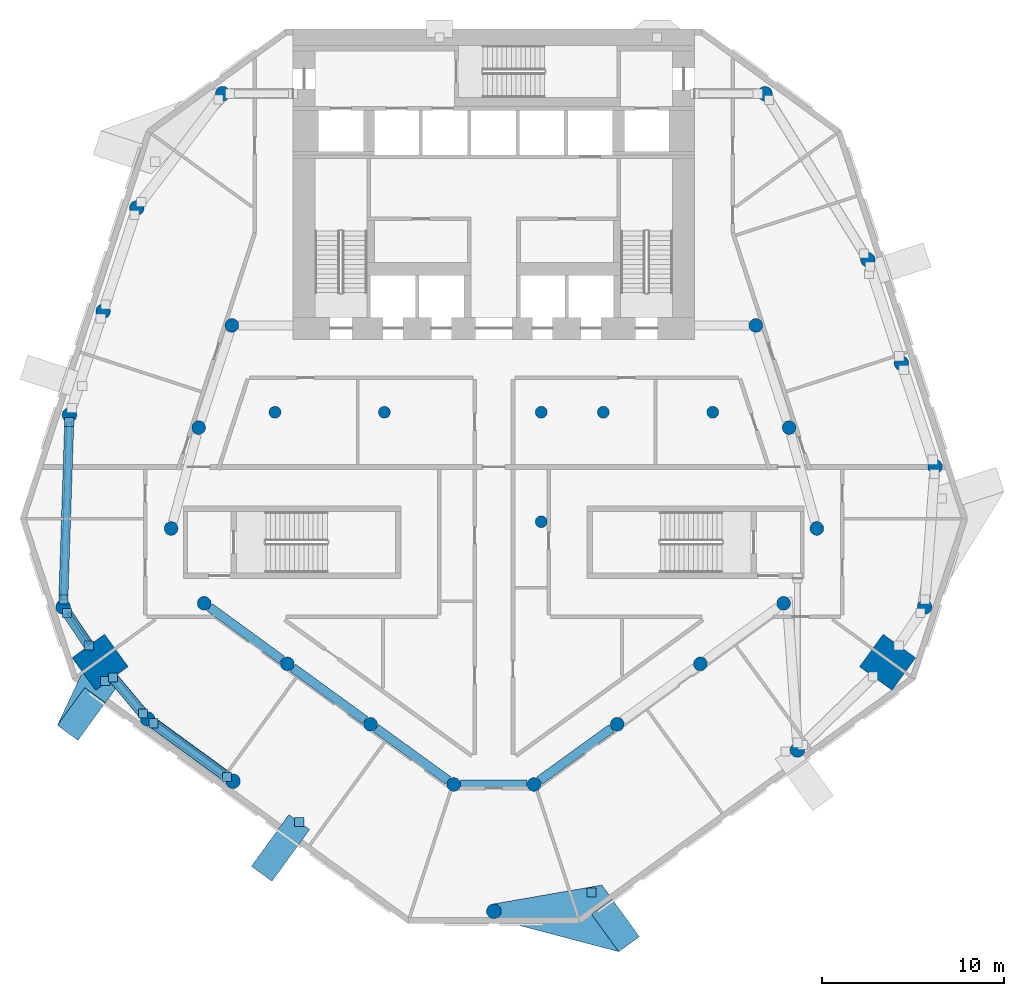
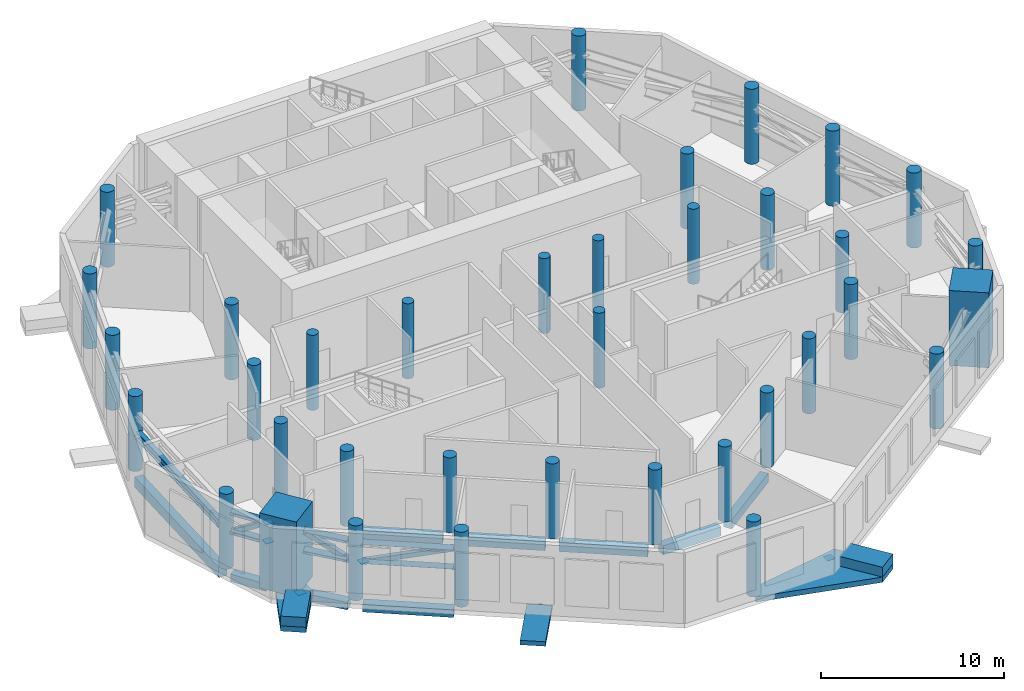
# One storey, part 1 of 15: 36 columns, 17 discrete accessories, 15 members, 9 beams.
"""IFC4 building model written with IfcOpenShell, lengths in metres."""

from ifc_helpers import new_model, si_unit, direction, frame, origin, origin_2d, place, context, subcontext, project, spatial, polyline, rectangle, hollow_rectangle, circle, i_section, outline, extrude, material, layer, layer_set, material_profile, profile_set, type_object, element, aggregate, save


model = new_model("IFC4")

# Units and contexts
model_context = context("Model", 3, precision=1e-05, world=origin(), true_north=direction((0.0, 1.0)))
body_context = subcontext(model_context, "Body", "Model", "MODEL_VIEW")
ifc_project = project(units=[si_unit("LENGTHUNIT", "METRE"), si_unit("AREAUNIT", "SQUARE_METRE"), si_unit("VOLUMEUNIT", "CUBIC_METRE"), si_unit("PLANEANGLEUNIT", "RADIAN"), si_unit("MASSUNIT", "GRAM", prefix="KILO")], contexts=[model_context])

# Site, building, storey
site_placement = place(None, origin())
site = spatial("IfcSite", under=ifc_project, at=site_placement, CompositionType="ELEMENT")
building_placement = place(site_placement, origin())
building = spatial("IfcBuilding", under=site, at=building_placement, Name="White Candle Pilgrim Tower", CompositionType="ELEMENT")
storey_placement = place(building_placement, frame((0.0, 0.0, 85.800048828125)))
storey = spatial("IfcBuildingStorey", under=building, at=storey_placement, Name="L18", CompositionType="ELEMENT", Elevation=85.800048828125)

# Columns
ifc_material_1 = material(Name="Concrete C80/95", Category="concrete")
ifc_material_profile_1 = material_profile(ifc_material_1, circle(Radius=0.324951171875, at=origin_2d()), Name="RC-COL D650")
ifc_profile_set_1 = profile_set([ifc_material_profile_1], Name="Concrete C80/95")
column_type_1 = type_object("IfcColumnType", Name="Interior column RC-COL D650 C80/95", PredefinedType="COLUMN", material=ifc_profile_set_1)
for number, where, z_axis, x_axis, name in (
    (1, (58.0, 67.0, 0.0), (0.0, 0.0, 1.0), (1.0, 0.0, 0.0), "L18 column I01"),
    (2, (64.0, 67.0, 0.0), (0.0, 0.0, 1.0), (1.0, 0.0, 0.0), "L18 column I02"),
    (3, (72.60009765625, 61.0, 0.0), (0.0, 0.0, 1.0), (1.0, 0.0, 0.0), "L18 column I03"),
    (4, (72.60009765625, 67.0, 0.0), (0.0, 0.0, 1.0), (1.0, 0.0, 0.0), "L18 column I04"),
    (5, (76.0, 67.0, 0.0), (0.0, 0.0, 1.0), (1.0, 0.0, 0.0), "L18 column I05"),
    (6, (82.0, 67.0, 0.0), (0.0, 0.0, 1.0), (1.0, 0.0, 0.0), "L18 column I06"),
):
    element("IfcColumn", number, at=place(storey_placement, frame(where, z_axis=z_axis, x_axis=x_axis)), inside=storey, type_object=column_type_1, Name=name, PredefinedType="COLUMN", context=body_context, shape_type="SweptSolid", body=[
        extrude(circle(Radius=0.324951171875, at=origin_2d()), origin(), (0.0, 0.0, 1.0), 5.0),
    ])
ifc_material_profile_2 = material_profile(ifc_material_1, rectangle(XDim=2.199951171875, YDim=2.199951171875, at=origin_2d()), Name="RC 2200x2200")
ifc_profile_set_2 = profile_set([ifc_material_profile_2], Name="Concrete C80/95")
column_type_2 = type_object("IfcColumnType", Name="Mega column RC 2200x2200 C80/95", PredefinedType="COLUMN", material=ifc_profile_set_2)
for number, where, z_axis, x_axis, name in (
    (7, (48.419921875, 53.300048828125, 0.0), (0.0, 0.0, 1.0), (-0.809016994375, -0.587785252292, 0.0), "L18 mega column T02"),
    (8, (91.580078125, 53.300048828125, 0.0), (0.0, 0.0, 1.0), (0.809016994375, -0.587785252292, 0.0), "L18 mega column T07"),
):
    element("IfcColumn", number, at=place(storey_placement, frame(where, z_axis=z_axis, x_axis=x_axis)), inside=storey, type_object=column_type_2, Name=name, PredefinedType="COLUMN", context=body_context, shape_type="SweptSolid", body=[
        extrude(rectangle(XDim=2.199951171875, YDim=2.199951171875, at=origin_2d()), origin(), (0.0, 0.0, 1.0), 5.0),
    ])
ifc_material_profile_3 = material_profile(ifc_material_1, circle(Radius=0.39990234375, at=origin_2d()), Name="RC-COL D800")
ifc_profile_set_3 = profile_set([ifc_material_profile_3], Name="Concrete C80/95")
column_type_3 = type_object("IfcColumnType", Name="Perimeter column RC-COL D800 C80/95", PredefinedType="COLUMN", material=ifc_profile_set_3)
for number, where, z_axis, x_axis, name in (
    (9, (46.389892578125, 56.330078125, 0.0), (0.0, 0.0, 1.0), (1.0, 0.0, 0.0), "L18 column T01"),
    (10, (51.02001953125, 50.18994140625, 0.0), (0.0, 0.0, 1.0), (1.0, 0.0, 0.0), "L18 column T03"),
    (11, (55.699951171875, 46.780029296875, 0.0), (0.0, 0.0, 1.0), (1.0, 0.0, 0.0), "L18 column T04"),
    (12, (70.0, 39.64990234375, 0.0), (0.0, 0.0, 1.0), (1.0, 0.0, 0.0), "L18 column T05"),
    (13, (86.639892578125, 48.489990234375, 0.0), (0.0, 0.0, 1.0), (1.0, 0.0, 0.0), "L18 column T06"),
    (14, (93.610107421875, 56.330078125, 0.0), (0.0, 0.0, 1.0), (1.0, 0.0, 0.0), "L18 column T08"),
    (15, (94.179931640625, 64.02001953125, 0.0), (0.0, 0.0, 1.0), (1.0, 0.0, 0.0), "L18 column T09"),
    (16, (92.340087890625, 69.68994140625, 0.0), (0.0, 0.0, 1.0), (1.0, 0.0, 0.0), "L18 column T10"),
    (17, (90.5, 75.360107421875, 0.0), (0.0, 0.0, 1.0), (1.0, 0.0, 0.0), "L18 column T11"),
    (18, (84.860107421875, 84.4599609375, 0.0), (0.0, 0.0, 1.0), (1.0, 0.0, 0.0), "L18 column T12"),
    (19, (55.139892578125, 84.4599609375, 0.0), (0.0, 0.0, 1.0), (1.0, 0.0, 0.0), "L18 column T13"),
    (20, (50.429931640625, 78.199951171875, 0.0), (0.0, 0.0, 1.0), (1.0, 0.0, 0.0), "L18 column T14"),
    (21, (48.580078125, 72.530029296875, 0.0), (0.0, 0.0, 1.0), (1.0, 0.0, 0.0), "L18 column T15"),
    (22, (46.739990234375, 66.860107421875, 0.0), (0.0, 0.0, 1.0), (1.0, 0.0, 0.0), "L18 column T16"),
):
    element("IfcColumn", number, at=place(storey_placement, frame(where, z_axis=z_axis, x_axis=x_axis)), inside=storey, type_object=column_type_3, Name=name, PredefinedType="COLUMN", context=body_context, shape_type="SweptSolid", body=[
        extrude(circle(Radius=0.39990234375, at=origin_2d()), origin(), (0.0, 0.0, 1.0), 5.0),
    ])
ifc_material_profile_4 = material_profile(ifc_material_1, circle(Radius=0.375, at=origin_2d()), Name="RC-COL D750")
ifc_profile_set_4 = profile_set([ifc_material_profile_4], Name="Concrete C80/95")
column_type_4 = type_object("IfcColumnType", Name="Ring column RC-COL D750 C80/95", PredefinedType="COLUMN", material=ifc_profile_set_4)
for number, where, z_axis, x_axis, name in (
    (23, (52.31005859375, 60.6298828125, 0.0), (0.0, 0.0, 1.0), (1.0, 0.0, 0.0), "L18 column R01"),
    (24, (54.1201171875, 56.530029296875, 0.0), (0.0, 0.0, 1.0), (1.0, 0.0, 0.0), "L18 column R02"),
    (25, (58.679931640625, 53.2099609375, 0.0), (0.0, 0.0, 1.0), (1.0, 0.0, 0.0), "L18 column R03"),
    (26, (63.239990234375, 49.89990234375, 0.0), (0.0, 0.0, 1.0), (1.0, 0.0, 0.0), "L18 column R04"),
    (27, (67.800048828125, 46.60009765625, 0.0), (0.0, 0.0, 1.0), (1.0, 0.0, 0.0), "L18 column R05"),
    (28, (72.199951171875, 46.60009765625, 0.0), (0.0, 0.0, 1.0), (1.0, 0.0, 0.0), "L18 column R06"),
    (29, (76.760009765625, 49.89990234375, 0.0), (0.0, 0.0, 1.0), (1.0, 0.0, 0.0), "L18 column R07"),
    (30, (81.320068359375, 53.2099609375, 0.0), (0.0, 0.0, 1.0), (1.0, 0.0, 0.0), "L18 column R08"),
    (31, (85.8798828125, 56.530029296875, 0.0), (0.0, 0.0, 1.0), (1.0, 0.0, 0.0), "L18 column R09"),
    (32, (87.699951171875, 60.6298828125, 0.0), (0.0, 0.0, 1.0), (1.0, 0.0, 0.0), "L18 column R10"),
    (33, (86.179931640625, 66.159912109375, 0.0), (0.0, 0.0, 1.0), (1.0, 0.0, 0.0), "L18 column R11"),
    (34, (84.360107421875, 71.760009765625, 0.0), (0.0, 0.0, 1.0), (1.0, 0.0, 0.0), "L18 column R12"),
    (35, (55.639892578125, 71.760009765625, 0.0), (0.0, 0.0, 1.0), (1.0, 0.0, 0.0), "L18 column R13"),
    (36, (53.820068359375, 66.159912109375, 0.0), (0.0, 0.0, 1.0), (1.0, 0.0, 0.0), "L18 column R14"),
):
    element("IfcColumn", number, at=place(storey_placement, frame(where, z_axis=z_axis, x_axis=x_axis)), inside=storey, type_object=column_type_4, Name=name, PredefinedType="COLUMN", context=body_context, shape_type="SweptSolid", body=[
        extrude(circle(Radius=0.375, at=origin_2d()), origin(), (0.0, 0.0, 1.0), 5.0),
    ])

# Member
ifc_material_2 = material(Name="Steel S355", Category="steel")
ifc_material_profile_5 = material_profile(ifc_material_2, i_section(OverallWidth=0.305908203125, OverallDepth=0.52392578125, WebThickness=0.02099609375, FlangeThickness=0.0400390625, FilletRadius=0.027099609375, at=origin_2d()), Name="HEM 500")
ifc_profile_set_5 = profile_set([ifc_material_profile_5], Name="Steel S355")
member_type_1 = type_object("IfcMemberType", Name="Belt truss chord HEM 500 S355", PredefinedType="CHORD", material=ifc_profile_set_5)
member_1_placement = place(storey_placement, frame((46.612548828125, 55.997802734375, 2.411865234375), z_axis=(0.556641005169, -0.830753147069, 0.0), x_axis=(0.690172648522, 0.462445912085, 0.556601736997)))
member_1 = element("IfcMember", 37, at=member_1_placement, inside=storey, type_object=member_type_1, Name="L18 belt truss bottom chord 01", PredefinedType="CHORD", context=body_context, shape_type="SweptSolid", body=[
    extrude(i_section(OverallWidth=0.305908203125, OverallDepth=0.52392578125, WebThickness=0.02099609375, FlangeThickness=0.0400390625, FilletRadius=0.027099609375, at=origin_2d()), origin(), (0.0, 0.0, 1.0), 2.146484375),
])

member_2_placement = place(storey_placement, frame((46.612548828125, 55.997802734375, 3.677978515625), z_axis=(0.556641005169, -0.830753147069, 0.0), x_axis=(0.690172648522, 0.462445912085, 0.556601736997)))
member_2 = element("IfcMember", 38, at=member_2_placement, inside=storey, type_object=member_type_1, Name="L18 belt truss top chord 01", PredefinedType="CHORD", context=body_context, shape_type="SweptSolid", body=[
    extrude(i_section(OverallWidth=0.305908203125, OverallDepth=0.52392578125, WebThickness=0.02099609375, FlangeThickness=0.0400390625, FilletRadius=0.027099609375, at=origin_2d()), origin(), (0.0, 0.0, 1.0), 2.146484375),
])

member_3_placement = place(storey_placement, frame((49.127197265625, 52.4541015625, 2.411865234375), z_axis=(0.641388324436, -0.767216408373, 0.0), x_axis=(0.588617270791, 0.492080514606, 0.641394165604)))
member_3 = element("IfcMember", 39, at=member_3_placement, inside=storey, type_object=member_type_1, Name="L18 belt truss bottom chord 02", PredefinedType="CHORD", context=body_context, shape_type="SweptSolid", body=[
    extrude(i_section(OverallWidth=0.305908203125, OverallDepth=0.52392578125, WebThickness=0.02099609375, FlangeThickness=0.0400390625, FilletRadius=0.027099609375, at=origin_2d()), origin(), (0.0, 0.0, 1.0), 2.551513671875),
])

member_4_placement = place(storey_placement, frame((49.127197265625, 52.4541015625, 3.677978515625), z_axis=(0.641388324436, -0.767216408373, 0.0), x_axis=(0.588617270791, 0.492080514606, 0.641394165604)))
member_4 = element("IfcMember", 40, at=member_4_placement, inside=storey, type_object=member_type_1, Name="L18 belt truss top chord 02", PredefinedType="CHORD", context=body_context, shape_type="SweptSolid", body=[
    extrude(i_section(OverallWidth=0.305908203125, OverallDepth=0.52392578125, WebThickness=0.02099609375, FlangeThickness=0.0400390625, FilletRadius=0.027099609375, at=origin_2d()), origin(), (0.0, 0.0, 1.0), 2.551513671875),
])

member_5_placement = place(storey_placement, frame((51.343017578125, 49.95458984375, 2.411865234375), z_axis=(0.808217539001, -0.588884037525, 0.0), x_axis=(0.346791328961, 0.475955904014, 0.808208977673)))
member_5 = element("IfcMember", 41, at=member_5_placement, inside=storey, type_object=member_type_1, Name="L18 belt truss bottom chord 03", PredefinedType="CHORD", context=body_context, shape_type="SweptSolid", body=[
    extrude(i_section(OverallWidth=0.305908203125, OverallDepth=0.52392578125, WebThickness=0.02099609375, FlangeThickness=0.0400390625, FilletRadius=0.027099609375, at=origin_2d()), origin(), (0.0, 0.0, 1.0), 4.9912109375),
])

member_6_placement = place(storey_placement, frame((51.343017578125, 49.95458984375, 3.677978515625), z_axis=(0.808217539001, -0.588884037525, 0.0), x_axis=(0.346791328961, 0.475955904014, 0.808208977673)))
member_6 = element("IfcMember", 42, at=member_6_placement, inside=storey, type_object=member_type_1, Name="L18 belt truss top chord 03", PredefinedType="CHORD", context=body_context, shape_type="SweptSolid", body=[
    extrude(i_section(OverallWidth=0.305908203125, OverallDepth=0.52392578125, WebThickness=0.02099609375, FlangeThickness=0.0400390625, FilletRadius=0.027099609375, at=origin_2d()), origin(), (0.0, 0.0, 1.0), 4.9912109375),
])

member_7_placement = place(storey_placement, frame((46.726806640625, 66.46044921875, 2.411865234375), z_axis=(-0.033224659514, -0.999447908598, 0.0), x_axis=(0.998896398441, -0.033206325654, -0.033216338126)))
member_7 = element("IfcMember", 43, at=member_7_placement, inside=storey, type_object=member_type_1, Name="L18 belt truss bottom chord 16", PredefinedType="CHORD", context=body_context, shape_type="SweptSolid", body=[
    extrude(i_section(OverallWidth=0.305908203125, OverallDepth=0.52392578125, WebThickness=0.02099609375, FlangeThickness=0.0400390625, FilletRadius=0.027099609375, at=origin_2d()), origin(), (0.0, 0.0, 1.0), 9.736328125),
])

# Members
ifc_material_profile_6 = material_profile(ifc_material_2, hollow_rectangle(XDim=0.300048828125, YDim=0.300048828125, WallThickness=0.01611328125, at=origin_2d()), Name="SHS 300x300x16")
ifc_profile_set_6 = profile_set([ifc_material_profile_6], Name="Steel S355")
member_type_2 = type_object("IfcMemberType", Name="Belt truss diagonal SHS 300x300x16 S355", PredefinedType="BRACE", material=ifc_profile_set_6)
member_8_placement = place(storey_placement, frame((46.612548828125, 55.997802734375, 2.411865234375), z_axis=(0.479448641851, -0.715548197809, 0.508054895104), x_axis=(0.830753147069, 0.556641005169, 0.0)))
element("IfcMember", 44, at=member_8_placement, inside=storey, type_object=member_type_2, Name="L18 belt truss diagonal 01", PredefinedType="BRACE", context=body_context, shape_type="SweptSolid", body=[
    extrude(hollow_rectangle(XDim=0.300048828125, YDim=0.300048828125, WallThickness=0.01611328125, at=origin_2d()), origin(), (0.0, 0.0, 1.0), 2.4921875),
])
member_9_placement = place(storey_placement, frame((49.127197265625, 52.4541015625, 3.677978515625), z_axis=(0.574538598303, -0.687252048515, -0.444510990721), x_axis=(0.767216408373, 0.641388324436, 0.0)))
element("IfcMember", 45, at=member_9_placement, inside=storey, type_object=member_type_2, Name="L18 belt truss diagonal 02", PredefinedType="BRACE", context=body_context, shape_type="SweptSolid", body=[
    extrude(hollow_rectangle(XDim=0.300048828125, YDim=0.300048828125, WallThickness=0.01611328125, at=origin_2d()), origin(), (0.0, 0.0, 1.0), 2.848388671875),
])
member_10_placement = place(storey_placement, frame((51.343017578125, 49.95458984375, 2.411865234375), z_axis=(0.783404719094, -0.570804903054, 0.245883730147), x_axis=(0.588884037525, 0.808217539001, 0.0)))
element("IfcMember", 46, at=member_10_placement, inside=storey, type_object=member_type_2, Name="L18 belt truss diagonal 03", PredefinedType="BRACE", context=body_context, shape_type="SweptSolid", body=[
    extrude(hollow_rectangle(XDim=0.300048828125, YDim=0.300048828125, WallThickness=0.01611328125, at=origin_2d()), origin(), (0.0, 0.0, 1.0), 5.149169921875),
])

# Member
ifc_material_3 = material(Name="Concrete C70/85, white", Category="concrete")
ifc_layer_1 = layer(ifc_material_3, 0.300048828125)
ifc_layer_set_1 = layer_set([ifc_layer_1], Name="Node tie strut 3500x1400x300 C70/85")
member_type_3 = type_object("IfcMemberType", Name="Node tie strut 3500x1400x300 C70/85", PredefinedType="STRUT", material=ifc_layer_set_1)
member_11_placement = place(storey_placement, frame((0.0, 0.0, -0.35009765625)))
member_11 = element("IfcMember", 47, at=member_11_placement, inside=storey, type_object=member_type_3, Name="Node tie strut NC045", PredefinedType="STRUT", context=body_context, shape_type="SweptSolid", body=[
    extrude(outline(polyline([(76.8447265625, 37.431884765625), (77.977294921875, 38.2548828125), (75.920166015625, 41.08642578125), (69.922119140625, 40.042236328125), (69.94775390625, 40.046630859375), (69.973876953125, 40.049072265625), (70.0, 40.050048828125), (70.026123046875, 40.049072265625), (70.05224609375, 40.046630859375), (70.077880859375, 40.042236328125), (70.103515625, 40.036376953125), (70.128662109375, 40.02880859375), (70.153076171875, 40.01953125), (70.177001953125, 40.0087890625), (70.199951171875, 39.996337890625), (70.22216796875, 39.982666015625), (70.243408203125, 39.96728515625), (70.263671875, 39.95068359375), (70.28271484375, 39.932861328125), (70.30078125, 39.913818359375), (70.3173828125, 39.8935546875), (70.33251953125, 39.872314453125), (70.346435546875, 39.85009765625), (70.358642578125, 39.826904296875), (70.36962890625, 39.802978515625), (70.37890625, 39.778564453125), (70.386474609375, 39.75341796875), (70.392333984375, 39.72802734375), (70.396484375, 39.7021484375), (70.399169921875, 39.67626953125), (70.39990234375, 39.64990234375), (70.399169921875, 39.623779296875), (70.396484375, 39.597900390625), (70.392333984375, 39.572021484375), (70.386474609375, 39.54638671875), (70.37890625, 39.521484375), (70.36962890625, 39.496826171875), (70.358642578125, 39.47314453125), (70.346435546875, 39.449951171875), (70.33251953125, 39.427734375), (70.3173828125, 39.406494140625), (70.30078125, 39.38623046875), (70.28271484375, 39.3671875), (70.263671875, 39.349365234375), (70.243408203125, 39.332763671875), (70.22216796875, 39.3173828125), (70.199951171875, 39.3037109375), (70.177001953125, 39.291259765625), (70.153076171875, 39.280517578125), (70.128662109375, 39.271240234375), (70.103515625, 39.263671875), (70.077880859375, 39.2578125), (70.05224609375, 39.25341796875), (70.026123046875, 39.2509765625), (70.0, 39.25), (69.973876953125, 39.2509765625), (69.94775390625, 39.25341796875), (69.922119140625, 39.2578125), (69.896484375, 39.263671875), (76.8447265625, 37.431884765625)])), origin(), (0.0, 0.0, 1.0), 0.35009765625),
])

member_12_placement = place(storey_placement, origin())
element("IfcMember", 48, at=member_12_placement, inside=storey, type_object=member_type_3, Name="Node tie strut NC045", PredefinedType="STRUT", context=body_context, shape_type="SweptSolid", body=[
    extrude(outline(polyline([(76.8447265625, 37.431884765625), (77.977294921875, 38.2548828125), (76.478515625, 40.31787109375), (75.345947265625, 39.4951171875), (76.8447265625, 37.431884765625)])), origin(), (0.0, 0.0, 1.0), 0.64990234375),
])

member_13_placement = place(storey_placement, frame((0.0, 0.0, -0.35009765625)))
member_13 = element("IfcMember", 49, at=member_13_placement, inside=storey, type_object=member_type_3, Name="Node tie strut NC047", PredefinedType="STRUT", context=body_context, shape_type="SweptSolid", body=[
    extrude(outline(polyline([(47.20703125, 49.01904296875), (49.264404296875, 51.8505859375), (49.290771484375, 52.572998046875), (48.176513671875, 51.763427734375), (47.452880859375, 52.759765625), (46.074462890625, 49.842041015625), (47.20703125, 49.01904296875)])), origin(), (0.0, 0.0, 1.0), 0.35009765625),
])

member_14_placement = place(storey_placement, origin())
element("IfcMember", 50, at=member_14_placement, inside=storey, type_object=member_type_3, Name="Node tie strut NC047", PredefinedType="STRUT", context=body_context, shape_type="SweptSolid", body=[
    extrude(outline(polyline([(47.20703125, 49.01904296875), (48.705810546875, 51.08203125), (47.5732421875, 51.90478515625), (46.074462890625, 49.842041015625), (47.20703125, 49.01904296875)])), origin(), (0.0, 0.0, 1.0), 0.64990234375),
])

member_15_placement = place(storey_placement, frame((58.301513671875, 43.12158203125, -0.30029296875), z_axis=(0.0, 0.0, 1.0), x_axis=(0.809016994375, -0.587785252292, 0.0)))
member_15 = element("IfcMember", 51, at=member_15_placement, inside=storey, type_object=member_type_3, Name="Node tie strut NC048", PredefinedType="STRUT", context=body_context, shape_type="SweptSolid", body=[
    extrude(rectangle(XDim=1.39990234375, YDim=3.5, at=origin_2d()), origin(), (0.0, 0.0, 1.0), 0.300048828125),
])

# Beams
ifc_material_4 = material(Name="Concrete C50/60", Category="concrete")
ifc_material_profile_7 = material_profile(ifc_material_4, rectangle(XDim=0.5, YDim=0.60009765625, at=origin_2d()), Name="RC-BM 500x600")
ifc_profile_set_7 = profile_set([ifc_material_profile_7], Name="Concrete C50/60")
beam_type_1 = type_object("IfcBeamType", Name="Ring beam RC-BM 500x600 C50/60", PredefinedType="BEAM", material=ifc_profile_set_7)
beam_1_placement = place(storey_placement, frame((54.423095703125, 56.309326171875, -0.60009765625), z_axis=(0.808431607518, -0.58859012561, 0.0), x_axis=(0.58859012561, 0.808431607518, 0.0)))
element("IfcBeam", 52, at=beam_1_placement, inside=storey, type_object=beam_type_1, Name="L18 ring beam R01", PredefinedType="BEAM", context=body_context, shape_type="SweptSolid", body=[
    extrude(rectangle(XDim=0.5, YDim=0.60009765625, at=origin_2d()), origin(), (0.0, 0.0, 1.0), 4.890869140625),
])
beam_2_placement = place(storey_placement, frame((58.9833984375, 52.98974609375, -0.60009765625), z_axis=(0.809276033964, -0.587428549572, 0.0), x_axis=(0.587428549572, 0.809276033964, 0.0)))
element("IfcBeam", 53, at=beam_2_placement, inside=storey, type_object=beam_type_1, Name="L18 ring beam R02", PredefinedType="BEAM", context=body_context, shape_type="SweptSolid", body=[
    extrude(rectangle(XDim=0.5, YDim=0.60009765625, at=origin_2d()), origin(), (0.0, 0.0, 1.0), 4.885009765625),
])
beam_3_placement = place(storey_placement, frame((63.543701171875, 49.680419921875, -0.60009765625), z_axis=(0.810079795278, -0.586319644291, 0.0), x_axis=(0.586319644291, 0.810079795278, 0.0)))
element("IfcBeam", 54, at=beam_3_placement, inside=storey, type_object=beam_type_1, Name="L18 ring beam R03", PredefinedType="BEAM", context=body_context, shape_type="SweptSolid", body=[
    extrude(rectangle(XDim=0.5, YDim=0.60009765625, at=origin_2d()), origin(), (0.0, 0.0, 1.0), 4.87939453125),
])
beam_4_placement = place(storey_placement, frame((68.175048828125, 46.60009765625, -0.60009765625), z_axis=(1.0, 0.0, 0.0), x_axis=(0.0, 1.0, 0.0)))
element("IfcBeam", 55, at=beam_4_placement, inside=storey, type_object=beam_type_1, Name="L18 ring beam R04", PredefinedType="BEAM", context=body_context, shape_type="SweptSolid", body=[
    extrude(rectangle(XDim=0.5, YDim=0.60009765625, at=origin_2d()), origin(), (0.0, 0.0, 1.0), 3.64990234375),
])
beam_5_placement = place(storey_placement, frame((72.503662109375, 46.819580078125, -0.60009765625), z_axis=(0.810079795278, 0.586319644291, 0.0), x_axis=(-0.586319644291, 0.810079795278, 0.0)))
element("IfcBeam", 56, at=beam_5_placement, inside=storey, type_object=beam_type_1, Name="L18 ring beam R05", PredefinedType="BEAM", context=body_context, shape_type="SweptSolid", body=[
    extrude(rectangle(XDim=0.5, YDim=0.60009765625, at=origin_2d()), origin(), (0.0, 0.0, 1.0), 4.87939453125),
])
ifc_material_profile_8 = material_profile(ifc_material_4, rectangle(XDim=0.5, YDim=0.699951171875, at=origin_2d()), Name="RC-BM 500x700")
ifc_profile_set_8 = profile_set([ifc_material_profile_8], Name="Concrete C50/60")
beam_type_2 = type_object("IfcBeamType", Name="Spandrel beam RC-BM 500x700 C50/60", PredefinedType="BEAM", material=ifc_profile_set_8)
beam_6_placement = place(storey_placement, frame((46.726806640625, 66.46044921875, -0.650146484375), z_axis=(-0.033224659514, -0.999447908598, 0.0), x_axis=(0.999447908598, -0.033224659514, 0.0)))
element("IfcBeam", 57, at=beam_6_placement, inside=storey, type_object=beam_type_2, Name="L18 spandrel beam T16", PredefinedType="BEAM", context=body_context, shape_type="SweptSolid", body=[
    extrude(rectangle(XDim=0.5, YDim=0.699951171875, at=origin_2d()), origin(), (0.0, 0.0, 1.0), 9.736328125),
])
ifc_material_profile_9 = material_profile(ifc_material_4, rectangle(XDim=0.550048828125, YDim=0.5, at=origin_2d()), Name="RC-BM 550x500")
ifc_profile_set_9 = profile_set([ifc_material_profile_9], Name="Concrete C50/60")
beam_type_3 = type_object("IfcBeamType", Name="Spandrel beam RC-BM 550x500 C50/60", PredefinedType="BEAM", material=ifc_profile_set_9)
beam_7_placement = place(storey_placement, frame((46.612548828125, 55.997802734375, -0.550048828125), z_axis=(0.556641005169, -0.830753147069, 0.0), x_axis=(0.830753147069, 0.556641005169, 0.0)))
element("IfcBeam", 58, at=beam_7_placement, inside=storey, type_object=beam_type_3, Name="L18 spandrel beam T01", PredefinedType="BEAM", context=body_context, shape_type="SweptSolid", body=[
    extrude(rectangle(XDim=0.550048828125, YDim=0.5, at=origin_2d()), origin(), (0.0, 0.0, 1.0), 2.146484375),
])
beam_8_placement = place(storey_placement, frame((49.127197265625, 52.4541015625, -0.550048828125), z_axis=(0.641388324436, -0.767216408373, 0.0), x_axis=(0.767216408373, 0.641388324436, 0.0)))
element("IfcBeam", 59, at=beam_8_placement, inside=storey, type_object=beam_type_3, Name="L18 spandrel beam T02", PredefinedType="BEAM", context=body_context, shape_type="SweptSolid", body=[
    extrude(rectangle(XDim=0.550048828125, YDim=0.5, at=origin_2d()), origin(), (0.0, 0.0, 1.0), 2.551513671875),
])
beam_9_placement = place(storey_placement, frame((51.343017578125, 49.95458984375, -0.550048828125), z_axis=(0.808217539001, -0.588884037525, 0.0), x_axis=(0.588884037525, 0.808217539001, 0.0)))
element("IfcBeam", 60, at=beam_9_placement, inside=storey, type_object=beam_type_3, Name="L18 spandrel beam T03", PredefinedType="BEAM", context=body_context, shape_type="SweptSolid", body=[
    extrude(rectangle(XDim=0.550048828125, YDim=0.5, at=origin_2d()), origin(), (0.0, 0.0, 1.0), 4.9912109375),
])

# Discrete accessory
ifc_layer_2 = layer(ifc_material_2, 0.02490234375)
ifc_layer_set_2 = layer_set([ifc_layer_2], Name="Gusset plate 500x500x25 S355")
discrete_accessory_type = type_object("IfcDiscreteAccessoryType", Name="Gusset plate 500x500x25 S355", PredefinedType="BRACKET", material=ifc_layer_set_2)
discrete_accessory_1_placement = place(storey_placement, frame((75.353759765625, 40.675048828125, -0.16259765625), z_axis=(0.0, 0.0, 1.0), x_axis=(1.0, 0.0, 0.0)))
discrete_accessory_1 = element("IfcDiscreteAccessory", 61, at=discrete_accessory_1_placement, type_object=discrete_accessory_type, Name="Gusset plate 0426", PredefinedType="BRACKET", context=body_context, shape_type="SweptSolid", body=[
    extrude(rectangle(XDim=0.5, YDim=0.5, at=origin_2d()), origin(), (0.0, 0.0, 1.0), 0.02490234375),
])

aggregate(member_11, [discrete_accessory_1])

discrete_accessory_2_placement = place(storey_placement, frame((48.697998046875, 52.26220703125, -0.16259765625), z_axis=(0.0, 0.0, 1.0), x_axis=(1.0, 0.0, 0.0)))
discrete_accessory_2 = element("IfcDiscreteAccessory", 62, at=discrete_accessory_2_placement, type_object=discrete_accessory_type, Name="Gusset plate 0428", PredefinedType="BRACKET", context=body_context, shape_type="SweptSolid", body=[
    extrude(rectangle(XDim=0.5, YDim=0.5, at=origin_2d()), origin(), (0.0, 0.0, 1.0), 0.02490234375),
])

aggregate(member_13, [discrete_accessory_2])

discrete_accessory_3_placement = place(storey_placement, frame((59.330078125, 44.537353515625, -0.16259765625), z_axis=(0.0, 0.0, 1.0), x_axis=(1.0, 0.0, 0.0)))
discrete_accessory_3 = element("IfcDiscreteAccessory", 63, at=discrete_accessory_3_placement, type_object=discrete_accessory_type, Name="Gusset plate 0429", PredefinedType="BRACKET", context=body_context, shape_type="SweptSolid", body=[
    extrude(rectangle(XDim=0.5, YDim=0.5, at=origin_2d()), origin(), (0.0, 0.0, 1.0), 0.02490234375),
])

aggregate(member_15, [discrete_accessory_3])

discrete_accessory_4_placement = place(storey_placement, frame((46.612548828125, 55.997802734375, 2.3994140625), z_axis=(0.0, 0.0, 1.0), x_axis=(1.0, 0.0, 0.0)))
discrete_accessory_4 = element("IfcDiscreteAccessory", 64, at=discrete_accessory_4_placement, type_object=discrete_accessory_type, Name="Gusset plate 0658", PredefinedType="BRACKET", context=body_context, shape_type="SweptSolid", body=[
    extrude(rectangle(XDim=0.5, YDim=0.5, at=origin_2d()), origin(), (0.0, 0.0, 1.0), 0.02490234375),
])

discrete_accessory_5_placement = place(storey_placement, frame((47.807373046875, 54.214599609375, 2.3994140625), z_axis=(0.0, 0.0, 1.0), x_axis=(1.0, 0.0, 0.0)))
discrete_accessory_5 = element("IfcDiscreteAccessory", 65, at=discrete_accessory_5_placement, type_object=discrete_accessory_type, Name="Gusset plate 0659", PredefinedType="BRACKET", context=body_context, shape_type="SweptSolid", body=[
    extrude(rectangle(XDim=0.5, YDim=0.5, at=origin_2d()), origin(), (0.0, 0.0, 1.0), 0.02490234375),
])

aggregate(member_1, [discrete_accessory_4, discrete_accessory_5])

discrete_accessory_6_placement = place(storey_placement, frame((46.612548828125, 55.997802734375, 3.66552734375), z_axis=(0.0, 0.0, 1.0), x_axis=(1.0, 0.0, 0.0)))
discrete_accessory_6 = element("IfcDiscreteAccessory", 66, at=discrete_accessory_6_placement, type_object=discrete_accessory_type, Name="Gusset plate 0660", PredefinedType="BRACKET", context=body_context, shape_type="SweptSolid", body=[
    extrude(rectangle(XDim=0.5, YDim=0.5, at=origin_2d()), origin(), (0.0, 0.0, 1.0), 0.02490234375),
])

discrete_accessory_7_placement = place(storey_placement, frame((47.807373046875, 54.214599609375, 3.66552734375), z_axis=(0.0, 0.0, 1.0), x_axis=(1.0, 0.0, 0.0)))
discrete_accessory_7 = element("IfcDiscreteAccessory", 67, at=discrete_accessory_7_placement, type_object=discrete_accessory_type, Name="Gusset plate 0661", PredefinedType="BRACKET", context=body_context, shape_type="SweptSolid", body=[
    extrude(rectangle(XDim=0.5, YDim=0.5, at=origin_2d()), origin(), (0.0, 0.0, 1.0), 0.02490234375),
])

aggregate(member_2, [discrete_accessory_6, discrete_accessory_7])

discrete_accessory_8_placement = place(storey_placement, frame((49.127197265625, 52.4541015625, 2.3994140625), z_axis=(0.0, 0.0, 1.0), x_axis=(1.0, 0.0, 0.0)))
discrete_accessory_8 = element("IfcDiscreteAccessory", 68, at=discrete_accessory_8_placement, type_object=discrete_accessory_type, Name="Gusset plate 0662", PredefinedType="BRACKET", context=body_context, shape_type="SweptSolid", body=[
    extrude(rectangle(XDim=0.5, YDim=0.5, at=origin_2d()), origin(), (0.0, 0.0, 1.0), 0.02490234375),
])

discrete_accessory_9_placement = place(storey_placement, frame((50.763671875, 50.49658203125, 2.3994140625), z_axis=(0.0, 0.0, 1.0), x_axis=(1.0, 0.0, 0.0)))
discrete_accessory_9 = element("IfcDiscreteAccessory", 69, at=discrete_accessory_9_placement, type_object=discrete_accessory_type, Name="Gusset plate 0663", PredefinedType="BRACKET", context=body_context, shape_type="SweptSolid", body=[
    extrude(rectangle(XDim=0.5, YDim=0.5, at=origin_2d()), origin(), (0.0, 0.0, 1.0), 0.02490234375),
])

aggregate(member_3, [discrete_accessory_8, discrete_accessory_9])

discrete_accessory_10_placement = place(storey_placement, frame((49.127197265625, 52.4541015625, 3.66552734375), z_axis=(0.0, 0.0, 1.0), x_axis=(1.0, 0.0, 0.0)))
discrete_accessory_10 = element("IfcDiscreteAccessory", 70, at=discrete_accessory_10_placement, type_object=discrete_accessory_type, Name="Gusset plate 0664", PredefinedType="BRACKET", context=body_context, shape_type="SweptSolid", body=[
    extrude(rectangle(XDim=0.5, YDim=0.5, at=origin_2d()), origin(), (0.0, 0.0, 1.0), 0.02490234375),
])

discrete_accessory_11_placement = place(storey_placement, frame((50.763671875, 50.49658203125, 3.66552734375), z_axis=(0.0, 0.0, 1.0), x_axis=(1.0, 0.0, 0.0)))
discrete_accessory_11 = element("IfcDiscreteAccessory", 71, at=discrete_accessory_11_placement, type_object=discrete_accessory_type, Name="Gusset plate 0665", PredefinedType="BRACKET", context=body_context, shape_type="SweptSolid", body=[
    extrude(rectangle(XDim=0.5, YDim=0.5, at=origin_2d()), origin(), (0.0, 0.0, 1.0), 0.02490234375),
])

aggregate(member_4, [discrete_accessory_10, discrete_accessory_11])

discrete_accessory_12_placement = place(storey_placement, frame((51.343017578125, 49.95458984375, 2.3994140625), z_axis=(0.0, 0.0, 1.0), x_axis=(1.0, 0.0, 0.0)))
discrete_accessory_12 = element("IfcDiscreteAccessory", 72, at=discrete_accessory_12_placement, type_object=discrete_accessory_type, Name="Gusset plate 0666", PredefinedType="BRACKET", context=body_context, shape_type="SweptSolid", body=[
    extrude(rectangle(XDim=0.5, YDim=0.5, at=origin_2d()), origin(), (0.0, 0.0, 1.0), 0.02490234375),
])

discrete_accessory_13_placement = place(storey_placement, frame((55.376953125, 47.015380859375, 2.3994140625), z_axis=(0.0, 0.0, 1.0), x_axis=(1.0, 0.0, 0.0)))
discrete_accessory_13 = element("IfcDiscreteAccessory", 73, at=discrete_accessory_13_placement, type_object=discrete_accessory_type, Name="Gusset plate 0667", PredefinedType="BRACKET", context=body_context, shape_type="SweptSolid", body=[
    extrude(rectangle(XDim=0.5, YDim=0.5, at=origin_2d()), origin(), (0.0, 0.0, 1.0), 0.02490234375),
])

aggregate(member_5, [discrete_accessory_12, discrete_accessory_13])

discrete_accessory_14_placement = place(storey_placement, frame((51.343017578125, 49.95458984375, 3.66552734375), z_axis=(0.0, 0.0, 1.0), x_axis=(1.0, 0.0, 0.0)))
discrete_accessory_14 = element("IfcDiscreteAccessory", 74, at=discrete_accessory_14_placement, type_object=discrete_accessory_type, Name="Gusset plate 0668", PredefinedType="BRACKET", context=body_context, shape_type="SweptSolid", body=[
    extrude(rectangle(XDim=0.5, YDim=0.5, at=origin_2d()), origin(), (0.0, 0.0, 1.0), 0.02490234375),
])

discrete_accessory_15_placement = place(storey_placement, frame((55.376953125, 47.015380859375, 3.66552734375), z_axis=(0.0, 0.0, 1.0), x_axis=(1.0, 0.0, 0.0)))
discrete_accessory_15 = element("IfcDiscreteAccessory", 75, at=discrete_accessory_15_placement, type_object=discrete_accessory_type, Name="Gusset plate 0669", PredefinedType="BRACKET", context=body_context, shape_type="SweptSolid", body=[
    extrude(rectangle(XDim=0.5, YDim=0.5, at=origin_2d()), origin(), (0.0, 0.0, 1.0), 0.02490234375),
])

aggregate(member_6, [discrete_accessory_14, discrete_accessory_15])

discrete_accessory_16_placement = place(storey_placement, frame((46.726806640625, 66.46044921875, 2.3994140625), z_axis=(0.0, 0.0, 1.0), x_axis=(1.0, 0.0, 0.0)))
discrete_accessory_16 = element("IfcDiscreteAccessory", 76, at=discrete_accessory_16_placement, type_object=discrete_accessory_type, Name="Gusset plate 0718", PredefinedType="BRACKET", context=body_context, shape_type="SweptSolid", body=[
    extrude(rectangle(XDim=0.5, YDim=0.5, at=origin_2d()), origin(), (0.0, 0.0, 1.0), 0.02490234375),
])

discrete_accessory_17_placement = place(storey_placement, frame((46.4033203125, 56.7294921875, 2.3994140625), z_axis=(0.0, 0.0, 1.0), x_axis=(1.0, 0.0, 0.0)))
discrete_accessory_17 = element("IfcDiscreteAccessory", 77, at=discrete_accessory_17_placement, type_object=discrete_accessory_type, Name="Gusset plate 0719", PredefinedType="BRACKET", context=body_context, shape_type="SweptSolid", body=[
    extrude(rectangle(XDim=0.5, YDim=0.5, at=origin_2d()), origin(), (0.0, 0.0, 1.0), 0.02490234375),
])

aggregate(member_7, [discrete_accessory_16, discrete_accessory_17])

save(model, "model.ifc")
